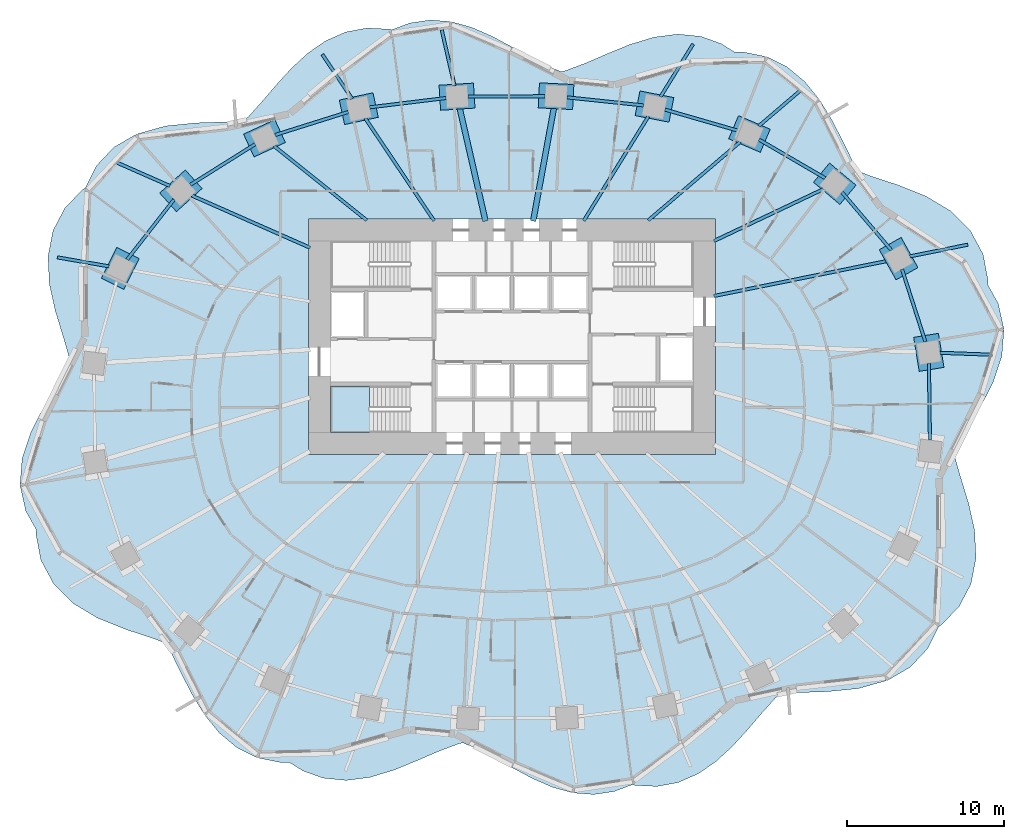
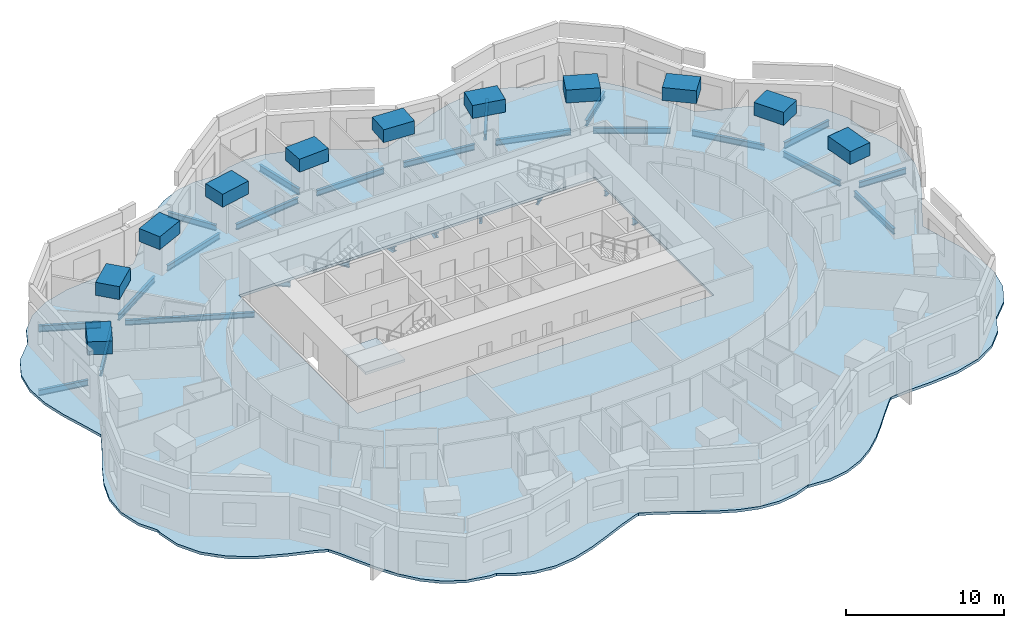
# One storey, part 2 of 12: 39 beams, 2 slabs, 1 element without a shape of its own.
"""IFC4 building model written with IfcOpenShell, lengths in metres."""

from ifc_helpers import new_model, si_unit, direction, frame, origin, origin_2d, place, context, subcontext, project, spatial, polyline, rectangle, i_section, outline, extrude, material, layer, layer_set, material_profile, profile_set, type_object, element, aggregate, save


model = new_model("IFC4")

# Units and contexts
model_context = context("Model", 3, precision=1e-05, world=origin(), true_north=direction((0.0, 1.0)))
body_context = subcontext(model_context, "Body", "Model", "MODEL_VIEW")
ifc_project = project(units=[si_unit("LENGTHUNIT", "METRE"), si_unit("AREAUNIT", "SQUARE_METRE"), si_unit("VOLUMEUNIT", "CUBIC_METRE"), si_unit("PLANEANGLEUNIT", "RADIAN"), si_unit("MASSUNIT", "GRAM", prefix="KILO")], contexts=[model_context])

# Site, building, storey
site_placement = place(None, origin())
site = spatial("IfcSite", under=ifc_project, at=site_placement, CompositionType="ELEMENT")
building_placement = place(site_placement, origin())
building = spatial("IfcBuilding", under=site, at=building_placement, Name="Rubra Terraces Tower", CompositionType="ELEMENT")
storey_placement = place(building_placement, frame((0.0, 0.0, 73.5)))
storey = spatial("IfcBuildingStorey", under=building, at=storey_placement, Name="L16", CompositionType="ELEMENT", Elevation=73.5)

# Beams
ifc_material_1 = material(Name="Steel Q355B", Category="steel")
ifc_material_profile_1 = material_profile(ifc_material_1, i_section(OverallWidth=0.198974609375, OverallDepth=0.446044921875, WebThickness=0.008056640625, FlangeThickness=0.011962890625, at=origin_2d()), Name="HN 446x199x8x12")
ifc_profile_set_1 = profile_set([ifc_material_profile_1], Name="Steel Q355B")
beam_type_1 = type_object("IfcBeamType", Name="CANTILEVER BEAM HN 446x199x8x12", PredefinedType="BEAM", material=ifc_profile_set_1)
beam_1_placement = place(storey_placement, frame((27.319091796875, 3.47607421875, -0.423095703125), z_axis=(0.999296185765, -0.037511773014, 0.0), x_axis=(0.037511773014, 0.999296185765, 0.0)))
element("IfcBeam", 1, at=beam_1_placement, inside=storey, type_object=beam_type_1, Name="beam-L16-cant-01", PredefinedType="BEAM", context=body_context, shape_type="SweptSolid", body=[
    extrude(i_section(OverallWidth=0.198974609375, OverallDepth=0.446044921875, WebThickness=0.008056640625, FlangeThickness=0.011962890625, at=origin_2d()), origin(), (0.0, 0.0, 1.0), 3.3583984375),
])
beam_2_placement = place(storey_placement, frame((15.7509765625, 17.947998046875, -0.423095703125), z_axis=(0.76041784496, 0.649434139129, 0.0), x_axis=(-0.649434139129, 0.76041784496, 0.0)))
element("IfcBeam", 2, at=beam_2_placement, inside=storey, type_object=beam_type_1, Name="beam-L16-cant-04", PredefinedType="BEAM", context=body_context, shape_type="SweptSolid", body=[
    extrude(i_section(OverallWidth=0.198974609375, OverallDepth=0.446044921875, WebThickness=0.008056640625, FlangeThickness=0.011962890625, at=origin_2d()), origin(), (0.0, 0.0, 1.0), 3.468994140625),
])
beam_3_placement = place(storey_placement, frame((-10.199951171875, 19.68310546875, -0.423095703125), z_axis=(-0.557683416453, 0.830053737425, 0.0), x_axis=(-0.830053737425, -0.557683416453, 0.0)))
element("IfcBeam", 3, at=beam_3_placement, inside=storey, type_object=beam_type_1, Name="beam-L16-cant-08", PredefinedType="BEAM", context=body_context, shape_type="SweptSolid", body=[
    extrude(i_section(OverallWidth=0.198974609375, OverallDepth=0.446044921875, WebThickness=0.008056640625, FlangeThickness=0.011962890625, at=origin_2d()), origin(), (0.0, 0.0, 1.0), 3.414306640625),
])
beam_4_placement = place(storey_placement, frame((-25.722900390625, 8.991943359375, -0.423095703125), z_axis=(-0.985116786746, 0.171886347543, 0.0), x_axis=(-0.171886347543, -0.985116786746, 0.0)))
element("IfcBeam", 4, at=beam_4_placement, inside=storey, type_object=beam_type_1, Name="beam-L16-cant-11", PredefinedType="BEAM", context=body_context, shape_type="SweptSolid", body=[
    extrude(i_section(OverallWidth=0.198974609375, OverallDepth=0.446044921875, WebThickness=0.008056640625, FlangeThickness=0.011962890625, at=origin_2d()), origin(), (0.0, 0.0, 1.0), 3.344970703125),
])
ifc_material_profile_2 = material_profile(ifc_material_1, i_section(OverallWidth=0.198974609375, OverallDepth=0.49609375, WebThickness=0.009033203125, FlangeThickness=0.013916015625, at=origin_2d()), Name="HN 496x199x9x14")
ifc_profile_set_2 = profile_set([ifc_material_profile_2], Name="Steel Q355B")
beam_type_2 = type_object("IfcBeamType", Name="CANTILEVER BEAM HN 496x199x9x14", PredefinedType="BEAM", material=ifc_profile_set_2)
beam_5_placement = place(storey_placement, frame((25.39599609375, 9.6279296875, -0.447998046875), z_axis=(0.980177704415, 0.198120336582, 0.0), x_axis=(-0.198120336582, 0.980177704415, 0.0)))
element("IfcBeam", 5, at=beam_5_placement, inside=storey, type_object=beam_type_2, Name="beam-L16-cant-02", PredefinedType="BEAM", context=body_context, shape_type="SweptSolid", body=[
    extrude(i_section(OverallWidth=0.198974609375, OverallDepth=0.49609375, WebThickness=0.009033203125, FlangeThickness=0.013916015625, at=origin_2d()), origin(), (0.0, 0.0, 1.0), 3.770751953125),
])
beam_6_placement = place(storey_placement, frame((9.488037109375, 19.827880859375, -0.447998046875), z_axis=(0.526262905652, 0.850321912063, 0.0), x_axis=(-0.850321912063, 0.526262905652, 0.0)))
element("IfcBeam", 6, at=beam_6_placement, inside=storey, type_object=beam_type_2, Name="beam-L16-cant-05", PredefinedType="BEAM", context=body_context, shape_type="SweptSolid", body=[
    extrude(i_section(OverallWidth=0.198974609375, OverallDepth=0.49609375, WebThickness=0.009033203125, FlangeThickness=0.013916015625, at=origin_2d()), origin(), (0.0, 0.0, 1.0), 3.94091796875),
])
beam_7_placement = place(storey_placement, frame((-3.6669921875, 20.514892578125, -0.447998046875), z_axis=(-0.22319553445, 0.974773693429, 0.0), x_axis=(-0.974773693429, -0.22319553445, 0.0)))
element("IfcBeam", 7, at=beam_7_placement, inside=storey, type_object=beam_type_2, Name="beam-L16-cant-07", PredefinedType="BEAM", context=body_context, shape_type="SweptSolid", body=[
    extrude(i_section(OverallWidth=0.198974609375, OverallDepth=0.49609375, WebThickness=0.009033203125, FlangeThickness=0.013916015625, at=origin_2d()), origin(), (0.0, 0.0, 1.0), 3.66552734375),
])
beam_8_placement = place(storey_placement, frame((-21.8369140625, 14.1259765625, -0.447998046875), z_axis=(-0.914957406793, 0.403550422816, 0.0), x_axis=(-0.403550422816, -0.914957406793, 0.0)))
element("IfcBeam", 8, at=beam_8_placement, inside=storey, type_object=beam_type_2, Name="beam-L16-cant-10", PredefinedType="BEAM", context=body_context, shape_type="SweptSolid", body=[
    extrude(i_section(OverallWidth=0.198974609375, OverallDepth=0.49609375, WebThickness=0.009033203125, FlangeThickness=0.013916015625, at=origin_2d()), origin(), (0.0, 0.0, 1.0), 3.949951171875),
])
ifc_material_profile_3 = material_profile(ifc_material_1, i_section(OverallWidth=0.199951171875, OverallDepth=0.39990234375, WebThickness=0.008056640625, FlangeThickness=0.012939453125, at=origin_2d()), Name="HN 400x200x8x13")
ifc_profile_set_3 = profile_set([ifc_material_profile_3], Name="Steel Q355B")
beam_type_3 = type_object("IfcBeamType", Name="FLOOR BEAM HN 400x200x8x13", PredefinedType="BEAM", material=ifc_profile_set_3)
beam_9_placement = place(storey_placement, frame((19.904052734375, 13.93603515625, -0.39990234375), z_axis=(-0.903612237836, -0.428351402045, 0.0), x_axis=(0.428351402045, -0.903612237836, 0.0)))
element("IfcBeam", 9, at=beam_9_placement, inside=storey, type_object=beam_type_3, Name="beam-L16-floor-03", PredefinedType="BEAM", context=body_context, shape_type="SweptSolid", body=[
    extrude(i_section(OverallWidth=0.199951171875, OverallDepth=0.39990234375, WebThickness=0.008056640625, FlangeThickness=0.012939453125, at=origin_2d()), origin(), (0.0, 0.0, 1.0), 7.760009765625),
])
beam_10_placement = place(storey_placement, frame((14.56298828125, 16.93408203125, -0.39990234375), z_axis=(-0.760494401061, -0.649344489431, 0.0), x_axis=(0.649344489431, -0.760494401061, 0.0)))
element("IfcBeam", 10, at=beam_10_placement, inside=storey, type_object=beam_type_3, Name="beam-L16-floor-04", PredefinedType="BEAM", context=body_context, shape_type="SweptSolid", body=[
    extrude(i_section(OverallWidth=0.199951171875, OverallDepth=0.39990234375, WebThickness=0.008056640625, FlangeThickness=0.012939453125, at=origin_2d()), origin(), (0.0, 0.0, 1.0), 7.718505859375),
])
beam_11_placement = place(storey_placement, frame((8.699951171875, 18.555908203125, -0.39990234375), z_axis=(-0.526285914839, -0.850307671283, 0.0), x_axis=(0.850307671283, -0.526285914839, 0.0)))
element("IfcBeam", 11, at=beam_11_placement, inside=storey, type_object=beam_type_3, Name="beam-L16-floor-05", PredefinedType="BEAM", context=body_context, shape_type="SweptSolid", body=[
    extrude(i_section(OverallWidth=0.199951171875, OverallDepth=0.39990234375, WebThickness=0.008056640625, FlangeThickness=0.012939453125, at=origin_2d()), origin(), (0.0, 0.0, 1.0), 7.830078125),
])
beam_12_placement = place(storey_placement, frame((-9.360107421875, 18.43310546875, -0.39990234375), z_axis=(0.557574689395, -0.830126776912, 0.0), x_axis=(0.830126776912, 0.557574689395, 0.0)))
element("IfcBeam", 12, at=beam_12_placement, inside=storey, type_object=beam_type_3, Name="beam-L16-floor-08", PredefinedType="BEAM", context=body_context, shape_type="SweptSolid", body=[
    extrude(i_section(OverallWidth=0.199951171875, OverallDepth=0.39990234375, WebThickness=0.008056640625, FlangeThickness=0.012939453125, at=origin_2d()), origin(), (0.0, 0.0, 1.0), 7.8701171875),
])
beam_13_placement = place(storey_placement, frame((-15.18896484375, 16.676025390625, -0.39990234375), z_axis=(0.780266406942, -0.625447307291, 0.0), x_axis=(0.625447307291, 0.780266406942, 0.0)))
element("IfcBeam", 13, at=beam_13_placement, inside=storey, type_object=beam_type_3, Name="beam-L16-floor-09", PredefinedType="BEAM", context=body_context, shape_type="SweptSolid", body=[
    extrude(i_section(OverallWidth=0.199951171875, OverallDepth=0.39990234375, WebThickness=0.008056640625, FlangeThickness=0.012939453125, at=origin_2d()), origin(), (0.0, 0.0, 1.0), 7.59619140625),
])
beam_14_placement = place(storey_placement, frame((-20.43310546875, 13.508056640625, -0.39990234375), z_axis=(0.914994662209, -0.4034659442, 0.0), x_axis=(0.4034659442, 0.914994662209, 0.0)))
element("IfcBeam", 14, at=beam_14_placement, inside=storey, type_object=beam_type_3, Name="beam-L16-floor-10", PredefinedType="BEAM", context=body_context, shape_type="SweptSolid", body=[
    extrude(i_section(OverallWidth=0.199951171875, OverallDepth=0.39990234375, WebThickness=0.008056640625, FlangeThickness=0.012939453125, at=origin_2d()), origin(), (0.0, 0.0, 1.0), 8.243896484375),
])
ifc_material_profile_4 = material_profile(ifc_material_1, i_section(OverallWidth=0.198974609375, OverallDepth=0.49609375, WebThickness=0.009033203125, FlangeThickness=0.013916015625, at=origin_2d()), Name="HN 496x199x9x14")
ifc_profile_set_4 = profile_set([ifc_material_profile_4], Name="Steel Q355B")
beam_type_4 = type_object("IfcBeamType", Name="FLOOR BEAM HN 496x199x9x14", PredefinedType="BEAM", material=ifc_profile_set_4)
beam_15_placement = place(storey_placement, frame((23.9560546875, 9.337890625, -0.447998046875), z_axis=(-0.980204035637, -0.197990021264, 0.0), x_axis=(0.197990021264, -0.980204035637, 0.0)))
element("IfcBeam", 15, at=beam_15_placement, inside=storey, type_object=beam_type_4, Name="beam-L16-floor-02", PredefinedType="BEAM", context=body_context, shape_type="SweptSolid", body=[
    extrude(i_section(OverallWidth=0.198974609375, OverallDepth=0.49609375, WebThickness=0.009033203125, FlangeThickness=0.013916015625, at=origin_2d()), origin(), (0.0, 0.0, 1.0), 11.297607421875),
])
ifc_material_profile_5 = material_profile(ifc_material_1, i_section(OverallWidth=0.35009765625, OverallDepth=0.35009765625, WebThickness=0.011962890625, FlangeThickness=0.01904296875, at=origin_2d()), Name="HW 350x350x12x19")
ifc_profile_set_5 = profile_set([ifc_material_profile_5], Name="Steel Q355B")
beam_type_5 = type_object("IfcBeamType", Name="FLOOR BEAM HW 350x350x12x19", PredefinedType="BEAM", material=ifc_profile_set_5)
beam_16_placement = place(storey_placement, frame((2.68408203125, 19.158935546875, -0.375), z_axis=(-0.180186319425, -0.983632497578, 0.0), x_axis=(0.983632497578, -0.180186319425, 0.0)))
element("IfcBeam", 16, at=beam_16_placement, inside=storey, type_object=beam_type_5, Name="beam-L16-floor-06", PredefinedType="BEAM", context=body_context, shape_type="SweptSolid", body=[
    extrude(i_section(OverallWidth=0.35009765625, OverallDepth=0.35009765625, WebThickness=0.011962890625, FlangeThickness=0.01904296875, at=origin_2d()), origin(), (0.0, 0.0, 1.0), 7.39794921875),
])
beam_17_placement = place(storey_placement, frame((-3.35107421875, 19.133056640625, -0.375), z_axis=(0.223209821828, -0.974770421914, 0.0), x_axis=(0.974770421914, 0.223209821828, 0.0)))
element("IfcBeam", 17, at=beam_17_placement, inside=storey, type_object=beam_type_5, Name="beam-L16-floor-07", PredefinedType="BEAM", context=body_context, shape_type="SweptSolid", body=[
    extrude(i_section(OverallWidth=0.35009765625, OverallDepth=0.35009765625, WebThickness=0.011962890625, FlangeThickness=0.01904296875, at=origin_2d()), origin(), (0.0, 0.0, 1.0), 7.437744140625),
])
ifc_material_profile_6 = material_profile(ifc_material_1, i_section(OverallWidth=0.198974609375, OverallDepth=0.446044921875, WebThickness=0.008056640625, FlangeThickness=0.011962890625, at=origin_2d()), Name="HN 446x199x8x12")
ifc_profile_set_6 = profile_set([ifc_material_profile_6], Name="Steel Q355B")
beam_type_6 = type_object("IfcBeamType", Name="SPANDREL BEAM HN 446x199x8x12", PredefinedType="SPANDREL", material=ifc_profile_set_6)
beam_18_placement = place(storey_placement, frame((26.387939453125, 4.177001953125, -0.423095703125), z_axis=(-0.30706880261, 0.951687317591, 0.0), x_axis=(-0.951687317591, -0.30706880261, 0.0)))
element("IfcBeam", 18, at=beam_18_placement, inside=storey, type_object=beam_type_6, Name="beam-L16-spandrel-01", PredefinedType="SPANDREL", context=body_context, shape_type="SweptSolid", body=[
    extrude(i_section(OverallWidth=0.198974609375, OverallDepth=0.446044921875, WebThickness=0.008056640625, FlangeThickness=0.011962890625, at=origin_2d()), origin(), (0.0, 0.0, 1.0), 4.86181640625),
])
beam_19_placement = place(storey_placement, frame((24.212890625, 10.02587890625, -0.423095703125), z_axis=(-0.648447050824, 0.761259760054, 0.0), x_axis=(-0.761259760054, -0.648447050824, 0.0)))
element("IfcBeam", 19, at=beam_19_placement, inside=storey, type_object=beam_type_6, Name="beam-L16-spandrel-02", PredefinedType="SPANDREL", context=body_context, shape_type="SweptSolid", body=[
    extrude(i_section(OverallWidth=0.198974609375, OverallDepth=0.446044921875, WebThickness=0.008056640625, FlangeThickness=0.011962890625, at=origin_2d()), origin(), (0.0, 0.0, 1.0), 4.860595703125),
])
beam_20_placement = place(storey_placement, frame((19.987060546875, 14.6240234375, -0.423095703125), z_axis=(-0.863806081452, 0.503824427402, 0.0), x_axis=(-0.503824427402, -0.863806081452, 0.0)))
element("IfcBeam", 20, at=beam_20_placement, inside=storey, type_object=beam_type_6, Name="beam-L16-spandrel-03", PredefinedType="SPANDREL", context=body_context, shape_type="SweptSolid", body=[
    extrude(i_section(OverallWidth=0.198974609375, OverallDepth=0.446044921875, WebThickness=0.008056640625, FlangeThickness=0.011962890625, at=origin_2d()), origin(), (0.0, 0.0, 1.0), 4.886474609375),
])
beam_21_placement = place(storey_placement, frame((14.47900390625, 17.636962890625, -0.423095703125), z_axis=(-0.960743980202, 0.277436487337, 0.0), x_axis=(-0.277436487337, -0.960743980202, 0.0)))
element("IfcBeam", 21, at=beam_21_placement, inside=storey, type_object=beam_type_6, Name="beam-L16-spandrel-04", PredefinedType="SPANDREL", context=body_context, shape_type="SweptSolid", body=[
    extrude(i_section(OverallWidth=0.198974609375, OverallDepth=0.446044921875, WebThickness=0.008056640625, FlangeThickness=0.011962890625, at=origin_2d()), origin(), (0.0, 0.0, 1.0), 4.90234375),
])
beam_22_placement = place(storey_placement, frame((8.39501953125, 19.26611328125, -0.423095703125), z_axis=(-0.994495375694, 0.104780473964, 0.0), x_axis=(-0.104780473964, -0.994495375694, 0.0)))
element("IfcBeam", 22, at=beam_22_placement, inside=storey, type_object=beam_type_6, Name="beam-L16-spandrel-05", PredefinedType="SPANDREL", context=body_context, shape_type="SweptSolid", body=[
    extrude(i_section(OverallWidth=0.198974609375, OverallDepth=0.446044921875, WebThickness=0.008056640625, FlangeThickness=0.011962890625, at=origin_2d()), origin(), (0.0, 0.0, 1.0), 4.9140625),
])
beam_23_placement = place(storey_placement, frame((2.110107421875, 19.85107421875, -0.423095703125), z_axis=(-0.999987924698, -0.004914311469, 0.0), x_axis=(0.004914311469, -0.999987924698, 0.0)))
element("IfcBeam", 23, at=beam_23_placement, inside=storey, type_object=beam_type_6, Name="beam-L16-spandrel-06", PredefinedType="SPANDREL", context=body_context, shape_type="SweptSolid", body=[
    extrude(i_section(OverallWidth=0.198974609375, OverallDepth=0.446044921875, WebThickness=0.008056640625, FlangeThickness=0.011962890625, at=origin_2d()), origin(), (0.0, 0.0, 1.0), 4.918212890625),
])
beam_24_placement = place(storey_placement, frame((-4.205078125, 19.739013671875, -0.423095703125), z_axis=(-0.992616576014, -0.12129440639, 0.0), x_axis=(0.12129440639, -0.992616576014, 0.0)))
element("IfcBeam", 24, at=beam_24_placement, inside=storey, type_object=beam_type_6, Name="beam-L16-spandrel-07", PredefinedType="SPANDREL", context=body_context, shape_type="SweptSolid", body=[
    extrude(i_section(OverallWidth=0.198974609375, OverallDepth=0.446044921875, WebThickness=0.008056640625, FlangeThickness=0.011962890625, at=origin_2d()), origin(), (0.0, 0.0, 1.0), 4.913330078125),
])
beam_25_placement = place(storey_placement, frame((-10.450927734375, 18.846923828125, -0.423095703125), z_axis=(-0.953954624663, -0.299950952796, 0.0), x_axis=(0.299950952796, -0.953954624663, 0.0)))
element("IfcBeam", 25, at=beam_25_placement, inside=storey, type_object=beam_type_6, Name="beam-L16-spandrel-08", PredefinedType="SPANDREL", context=body_context, shape_type="SweptSolid", body=[
    extrude(i_section(OverallWidth=0.198974609375, OverallDepth=0.446044921875, WebThickness=0.008056640625, FlangeThickness=0.011962890625, at=origin_2d()), origin(), (0.0, 0.0, 1.0), 4.900634765625),
])
beam_26_placement = place(storey_placement, frame((-16.39697265625, 16.7900390625, -0.423095703125), z_axis=(-0.847078460197, -0.531467856291, 0.0), x_axis=(0.531467856291, -0.847078460197, 0.0)))
element("IfcBeam", 26, at=beam_26_placement, inside=storey, type_object=beam_type_6, Name="beam-L16-spandrel-09", PredefinedType="SPANDREL", context=body_context, shape_type="SweptSolid", body=[
    extrude(i_section(OverallWidth=0.198974609375, OverallDepth=0.446044921875, WebThickness=0.008056640625, FlangeThickness=0.011962890625, at=origin_2d()), origin(), (0.0, 0.0, 1.0), 4.882568359375),
])
beam_27_placement = place(storey_placement, frame((-21.572998046875, 13.257080078125, -0.423095703125), z_axis=(-0.615577734286, -0.788076172112, 0.0), x_axis=(0.788076172112, -0.615577734286, 0.0)))
element("IfcBeam", 27, at=beam_27_placement, inside=storey, type_object=beam_type_6, Name="beam-L16-spandrel-10", PredefinedType="SPANDREL", context=body_context, shape_type="SweptSolid", body=[
    extrude(i_section(OverallWidth=0.198974609375, OverallDepth=0.446044921875, WebThickness=0.008056640625, FlangeThickness=0.011962890625, at=origin_2d()), origin(), (0.0, 0.0, 1.0), 4.85888671875),
])
beam_28_placement = place(storey_placement, frame((26.675048828125, -2.10107421875, -0.423095703125), z_axis=(-0.012465372298, 0.999922304228, 0.0), x_axis=(-0.999922304228, -0.012465372298, 0.0)))
element("IfcBeam", 28, at=beam_28_placement, inside=storey, type_object=beam_type_6, Name="beam-L16-spandrel-24", PredefinedType="SPANDREL", context=body_context, shape_type="SweptSolid", body=[
    extrude(i_section(OverallWidth=0.198974609375, OverallDepth=0.446044921875, WebThickness=0.008056640625, FlangeThickness=0.011962890625, at=origin_2d()), origin(), (0.0, 0.0, 1.0), 4.896484375),
])
ifc_material_2 = material(Name="Concrete C60", Category="concrete")
ifc_material_profile_7 = material_profile(ifc_material_2, rectangle(XDim=1.60009765625, YDim=1.0, at=origin_2d()), Name="RC 1600x1000")
ifc_profile_set_7 = profile_set([ifc_material_profile_7], Name="Concrete C60")
beam_type_7 = type_object("IfcBeamType", Name="TRANSFER NODE RC 1600x1000 C60", PredefinedType="BEAM", material=ifc_profile_set_7)
beam_29_placement = place(storey_placement, frame((26.781982421875, 2.4169921875, 2.800048828125), z_axis=(-0.160854040423, 0.986978205271, 0.0), x_axis=(-0.986978205271, -0.160854040423, 0.0)))
element("IfcBeam", 29, at=beam_29_placement, inside=storey, type_object=beam_type_7, Name="node-L17-lo-01", PredefinedType="BEAM", context=body_context, shape_type="SweptSolid", body=[
    extrude(rectangle(XDim=1.60009765625, YDim=1.0, at=origin_2d()), origin(), (0.0, 0.0, 1.0), 2.20068359375),
])
beam_30_placement = place(storey_placement, frame((25.2119140625, 8.52197265625, 2.800048828125), z_axis=(-0.487092722023, 0.87335026201, 0.0), x_axis=(-0.87335026201, -0.487092722023, 0.0)))
element("IfcBeam", 30, at=beam_30_placement, inside=storey, type_object=beam_type_7, Name="node-L17-lo-02", PredefinedType="BEAM", context=body_context, shape_type="SweptSolid", body=[
    extrude(rectangle(XDim=1.60009765625, YDim=1.0, at=origin_2d()), origin(), (0.0, 0.0, 1.0), 2.200927734375),
])
beam_31_placement = place(storey_placement, frame((21.444091796875, 13.56005859375, 2.800048828125), z_axis=(-0.767056023532, 0.641580124976, 0.0), x_axis=(-0.641580124976, -0.767056023532, 0.0)))
element("IfcBeam", 31, at=beam_31_placement, inside=storey, type_object=beam_type_7, Name="node-L17-lo-03", PredefinedType="BEAM", context=body_context, shape_type="SweptSolid", body=[
    extrude(rectangle(XDim=1.60009765625, YDim=1.0, at=origin_2d()), origin(), (0.0, 0.0, 1.0), 2.20068359375),
])
beam_32_placement = place(storey_placement, frame((16.16796875, 17.008056640625, 2.800048828125), z_axis=(-0.919242598949, 0.393691559825, 0.0), x_axis=(-0.393691559825, -0.919242598949, 0.0)))
element("IfcBeam", 32, at=beam_32_placement, inside=storey, type_object=beam_type_7, Name="node-L17-lo-04", PredefinedType="BEAM", context=body_context, shape_type="SweptSolid", body=[
    extrude(rectangle(XDim=1.60009765625, YDim=1.0, at=origin_2d()), origin(), (0.0, 0.0, 1.0), 2.19970703125),
])
beam_33_placement = place(storey_placement, frame((10.174072265625, 18.98095703125, 2.800048828125), z_axis=(-0.981437158798, 0.191784001759, 0.0), x_axis=(-0.191784001759, -0.981437158798, 0.0)))
element("IfcBeam", 33, at=beam_33_placement, inside=storey, type_object=beam_type_7, Name="node-L17-lo-05", PredefinedType="BEAM", context=body_context, shape_type="SweptSolid", body=[
    extrude(rectangle(XDim=1.60009765625, YDim=1.0, at=origin_2d()), origin(), (0.0, 0.0, 1.0), 2.200927734375),
])
beam_34_placement = place(storey_placement, frame((3.909912109375, 19.799072265625, 2.800048828125), z_axis=(-0.998753168682, 0.049921018095, 0.0), x_axis=(-0.049921018095, -0.998753168682, 0.0)))
element("IfcBeam", 34, at=beam_34_placement, inside=storey, type_object=beam_type_7, Name="node-L17-lo-06", PredefinedType="BEAM", context=body_context, shape_type="SweptSolid", body=[
    extrude(rectangle(XDim=1.60009765625, YDim=1.0, at=origin_2d()), origin(), (0.0, 0.0, 1.0), 2.20068359375),
])
beam_35_placement = place(storey_placement, frame((-2.410888671875, 19.89306640625, 2.800048828125), z_axis=(-0.998026154285, -0.062799644616, 0.0), x_axis=(0.062799644616, -0.998026154285, 0.0)))
element("IfcBeam", 35, at=beam_35_placement, inside=storey, type_object=beam_type_7, Name="node-L17-lo-07", PredefinedType="BEAM", context=body_context, shape_type="SweptSolid", body=[
    extrude(rectangle(XDim=1.60009765625, YDim=1.0, at=origin_2d()), origin(), (0.0, 0.0, 1.0), 2.200439453125),
])
beam_36_placement = place(storey_placement, frame((-8.705078125, 19.291015625, 2.800048828125), z_axis=(-0.977299400603, -0.211862883915, 0.0), x_axis=(0.211862883915, -0.977299400603, 0.0)))
element("IfcBeam", 36, at=beam_36_placement, inside=storey, type_object=beam_type_7, Name="node-L17-lo-08", PredefinedType="BEAM", context=body_context, shape_type="SweptSolid", body=[
    extrude(rectangle(XDim=1.60009765625, YDim=1.0, at=origin_2d()), origin(), (0.0, 0.0, 1.0), 2.199951171875),
])
for number, where, z_axis, x_axis, name in (
    (37, (-14.800048828125, 17.6259765625, 2.800048828125), (-0.908011334397, -0.418945601012, 0.0), (0.418945601012, -0.908011334397, 0.0), "node-L17-lo-09"),
    (38, (-20.318115234375, 14.553955078125, 2.800048828125), (-0.742510209104, -0.669834747812, 0.0), (0.669834747812, -0.742510209104, 0.0), "node-L17-lo-10"),
):
    element("IfcBeam", number, at=place(storey_placement, frame(where, z_axis=z_axis, x_axis=x_axis)), inside=storey, type_object=beam_type_7, Name=name, PredefinedType="BEAM", context=body_context, shape_type="SweptSolid", body=[
        extrude(rectangle(XDim=1.60009765625, YDim=1.0, at=origin_2d()), origin(), (0.0, 0.0, 1.0), 2.200439453125),
    ])
beam_37_placement = place(storey_placement, frame((-24.508056640625, 9.847900390625, 2.800048828125), z_axis=(-0.450141834705, -0.89295706988, 0.0), x_axis=(0.89295706988, -0.450141834705, 0.0)))
element("IfcBeam", 39, at=beam_37_placement, inside=storey, type_object=beam_type_7, Name="node-L17-lo-11", PredefinedType="BEAM", context=body_context, shape_type="SweptSolid", body=[
    extrude(rectangle(XDim=1.60009765625, YDim=1.0, at=origin_2d()), origin(), (0.0, 0.0, 1.0), 2.19921875),
])

# Stair, slab
ifc_material_3 = material(Name="Concrete C40", Category="concrete")
stair_type = type_object("IfcStairType", Name="Core stair 1400", PredefinedType="HALF_TURN_STAIR", material=ifc_material_3)
stair_placement = place(storey_placement, origin())
stair = element("IfcStair", 40, at=stair_placement, inside=storey, type_object=stair_type, Name="L16 Exit stair S1", PredefinedType="HALF_TURN_STAIR")
ifc_layer_1 = layer(ifc_material_3, 0.199951171875)
ifc_layer_set_1 = layer_set([ifc_layer_1], Name="Concrete C40")
slab_type_1 = type_object("IfcSlabType", Name="Core stair landing 200", PredefinedType="LANDING", material=ifc_layer_set_1)
slab_1_placement = place(storey_placement, frame((0.0, 0.0, 1.60009765625)))
slab_1 = element("IfcSlab", 41, at=slab_1_placement, type_object=slab_type_1, Name="S1 landing 1", PredefinedType="LANDING", context=body_context, shape_type="SweptSolid", body=[
    extrude(outline(polyline([(-8.719970703125, -0.199951171875), (-8.719970703125, -1.60009765625), (-9.10009765625, -1.60009765625), (-9.1201171875, -1.60009765625), (-11.60009765625, -1.60009765625), (-11.60009765625, 1.35009765625), (-9.1201171875, 1.35009765625), (-9.097900390625, 1.35009765625), (-9.097900390625, -0.050048828125), (-9.10009765625, -0.050048828125), (-9.10009765625, -0.199951171875), (-8.719970703125, -0.199951171875)])), origin(), (0.0, 0.0, 1.0), 0.199951171875),
])
aggregate(stair, [slab_1])

# Slab
ifc_layer_2 = layer(ifc_material_3, 0.199951171875)
ifc_layer_set_2 = layer_set([ifc_layer_2], Name="Concrete C40")
slab_type_2 = type_object("IfcSlabType", Name="FLOOR SLAB 200 COMPOSITE", PredefinedType="FLOOR", material=ifc_layer_set_2)
slab_2_placement = place(storey_placement, frame((0.0, 0.0, -0.199951171875)))
element("IfcSlab", 42, at=slab_2_placement, inside=storey, type_object=slab_type_2, Name="FLOOR SLAB L16", PredefinedType="FLOOR", context=body_context, shape_type="SweptSolid", body=[
    extrude(outline(polyline([(-3.403076171875, -21.48388671875), (-3.14111328125, -21.41796875), (-2.26904296875, -21.784912109375), (-1.14404296875, -22.364990234375), (0.0, -23.0), (1.279052734375, -23.68505859375), (2.580078125, -24.25390625), (3.89892578125, -24.618896484375), (5.22705078125, -24.718017578125), (6.5380859375, -24.52197265625), (7.81103515625, -24.041015625), (7.672119140625, -24.093994140625), (7.842041015625, -24.135986328125), (9.25, -24.2060546875), (10.616943359375, -23.952880859375), (11.9130859375, -23.3798828125), (13.02294921875, -22.610107421875), (14.048095703125, -21.669921875), (14.9951171875, -20.638916015625), (15.9150390625, -19.56396484375), (16.806884765625, -18.568115234375), (17.073974609375, -18.31689453125), (16.69091796875, -18.35009765625), (18.218017578125, -18.218017578125), (20.1201171875, -18.153076171875), (22.094970703125, -17.958984375), (23.986083984375, -17.427001953125), (25.419921875, -16.591064453125), (26.54296875, -15.39697265625), (27.243896484375, -13.998046875), (27.35205078125, -13.93603515625), (28.528076171875, -12.748046875), (29.297119140625, -11.279052734375), (29.617919921875, -9.6240234375), (29.532958984375, -7.875), (29.155029296875, -6.158935546875), (28.658935546875, -4.5390625), (28.23388671875, -3.052978515625), (28.258056640625, -2.991943359375), (29.027099609375, -1.5380859375), (29.89990234375, 0.0), (30.714111328125, 1.594970703125), (31.27001953125, 3.26611328125), (31.404052734375, 4.97412109375), (31.041015625, 6.618896484375), (30.361083984375, 7.8310546875), (30.383056640625, 8.1220703125), (30.070068359375, 9.77001953125), (29.2490234375, 11.2939453125), (27.989013671875, 12.535888671875), (26.43505859375, 13.468994140625), (24.587890625, 14.2041015625), (22.81201171875, 14.7890625), (22.10693359375, 15.076904296875), (21.7109375, 15.77392578125), (21.092041015625, 17.032958984375), (20.4169921875, 18.347900390625), (19.6298828125, 19.6298828125), (18.6689453125, 20.805908203125), (17.5400390625, 21.7451171875), (16.259033203125, 22.3779296875), (14.679931640625, 22.69189453125), (13.01708984375, 22.616943359375), (14.2060546875, 22.6708984375), (13.345947265625, 23.2119140625), (12.06103515625, 23.6708984375), (10.575927734375, 23.819091796875), (9.050048828125, 23.6201171875), (7.52392578125, 23.156005859375), (6.111083984375, 22.5791015625), (4.738037109375, 21.98388671875), (3.403076171875, 21.48388671875), (3.14111328125, 21.41796875), (2.26904296875, 21.784912109375), (1.14404296875, 22.364990234375), (0.0, 23.0), (-1.279052734375, 23.68505859375), (-2.580078125, 24.25390625), (-3.89892578125, 24.618896484375), (-5.22705078125, 24.718017578125), (-6.5380859375, 24.52197265625), (-7.81103515625, 24.041015625), (-7.672119140625, 24.093994140625), (-7.842041015625, 24.135986328125), (-9.25, 24.2060546875), (-10.616943359375, 23.952880859375), (-11.9130859375, 23.3798828125), (-13.02294921875, 22.610107421875), (-14.048095703125, 21.669921875), (-14.9951171875, 20.638916015625), (-15.9150390625, 19.56396484375), (-16.806884765625, 18.568115234375), (-17.073974609375, 18.31689453125), (-16.69091796875, 18.35009765625), (-18.218017578125, 18.218017578125), (-20.1201171875, 18.153076171875), (-22.094970703125, 17.958984375), (-23.986083984375, 17.427001953125), (-25.419921875, 16.591064453125), (-26.54296875, 15.39697265625), (-27.243896484375, 13.998046875), (-27.35205078125, 13.93603515625), (-28.528076171875, 12.748046875), (-29.297119140625, 11.279052734375), (-29.617919921875, 9.6240234375), (-29.532958984375, 7.875), (-29.155029296875, 6.158935546875), (-28.658935546875, 4.5390625), (-28.23388671875, 3.052978515625), (-28.258056640625, 2.991943359375), (-29.027099609375, 1.5380859375), (-29.89990234375, 0.0), (-30.714111328125, -1.594970703125), (-31.27001953125, -3.26611328125), (-31.404052734375, -4.97412109375), (-31.041015625, -6.618896484375), (-30.361083984375, -7.8310546875), (-30.383056640625, -8.1220703125), (-30.070068359375, -9.77001953125), (-29.2490234375, -11.2939453125), (-27.989013671875, -12.535888671875), (-26.43505859375, -13.468994140625), (-24.587890625, -14.2041015625), (-22.81201171875, -14.7890625), (-22.10693359375, -15.076904296875), (-21.7109375, -15.77392578125), (-21.092041015625, -17.032958984375), (-20.4169921875, -18.347900390625), (-19.6298828125, -19.6298828125), (-18.6689453125, -20.805908203125), (-17.5400390625, -21.7451171875), (-16.259033203125, -22.3779296875), (-14.679931640625, -22.69189453125), (-13.01708984375, -22.616943359375), (-14.2060546875, -22.6708984375), (-13.345947265625, -23.2119140625), (-12.06103515625, -23.6708984375), (-10.575927734375, -23.819091796875), (-9.050048828125, -23.6201171875), (-7.52392578125, -23.156005859375), (-6.111083984375, -22.5791015625), (-4.738037109375, -21.98388671875), (-3.403076171875, -21.48388671875)]), holes=[polyline([(13.0, 12.0), (13.0, -3.0), (-13.0, -3.0), (-13.0, 12.0), (13.0, 12.0)])]), origin(), (0.0, 0.0, 1.0), 0.199951171875),
])

save(model, "model.ifc")
